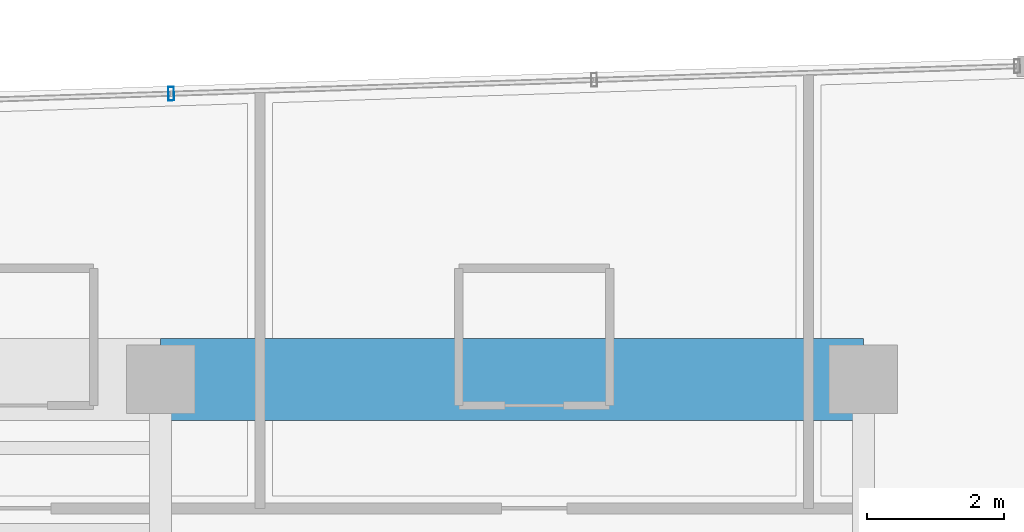
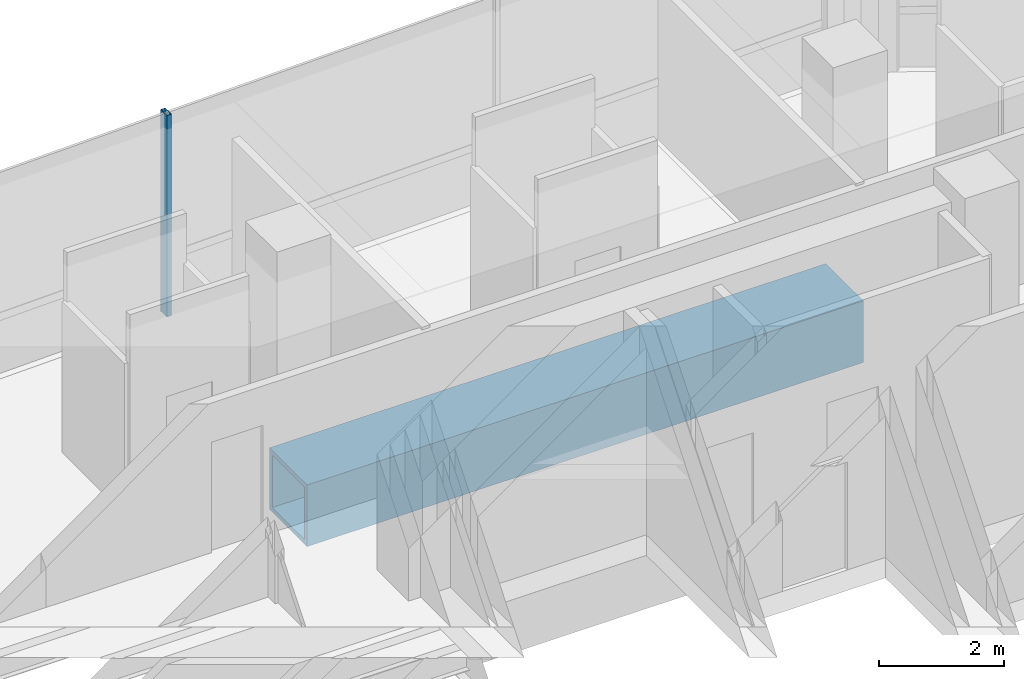
# One storey, part 18 of 37: 1 beam, 1 member, 1 element without a shape of its own.
"""IFC4 building model written with IfcOpenShell, lengths in metres."""

from ifc_helpers import new_model, si_unit, direction, frame, origin, origin_2d, place, context, subcontext, project, spatial, hollow_rectangle, extrude, source, transform, mapped, material, material_profile, profile_set, type_object, element, aggregate, save


model = new_model("IFC4")

# Units and contexts
model_context = context("Model", 3, precision=1e-05, world=origin(), true_north=direction((0.0, 1.0)))
body_context = subcontext(model_context, "Body", "Model", "MODEL_VIEW")
ifc_project = project(units=[si_unit("LENGTHUNIT", "METRE"), si_unit("AREAUNIT", "SQUARE_METRE"), si_unit("VOLUMEUNIT", "CUBIC_METRE"), si_unit("PLANEANGLEUNIT", "RADIAN"), si_unit("MASSUNIT", "GRAM", prefix="KILO")], contexts=[model_context])

# Site, building, storey
site_placement = place(None, origin())
site = spatial("IfcSite", under=ifc_project, at=site_placement, CompositionType="ELEMENT")
building_placement = place(site_placement, origin())
building = spatial("IfcBuilding", under=site, at=building_placement, Name="Valdorenza Pilgrim Sanctuary Tower", CompositionType="ELEMENT")
storey_placement = place(building_placement, frame((0.0, 0.0, 172.300048828125)))
storey = spatial("IfcBuildingStorey", under=building, at=storey_placement, Name="L44", CompositionType="ELEMENT", Elevation=172.300048828125)

# Beam
ifc_material_1 = material(Name="Steel ASTM A572 Grade 42", Category="steel")
ifc_material_profile_1 = material_profile(ifc_material_1, hollow_rectangle(XDim=1.199951171875, YDim=1.199951171875, WallThickness=0.090087890625, at=origin_2d()), Name="BOX 1200x1200x90")
ifc_profile_set_1 = profile_set([ifc_material_profile_1], Name="Steel ASTM A572 Grade 42")
beam_type = type_object("IfcBeamType", Name="STR-BM-TRF-1200", PredefinedType="BEAM", material=ifc_profile_set_1)
shared_shape_1 = source(origin(), body_context, "Body", "SweptSolid", [
    extrude(hollow_rectangle(XDim=1.199951171875, YDim=1.199951171875, WallThickness=0.090087890625, at=origin_2d()), origin(), (0.0, 0.0, 1.0), 10.25),
])
beam_placement = place(storey_placement, frame((-22.64990234375, 14.800048828125, -1.0), z_axis=(1.0, 0.0, 0.0), x_axis=(0.0, 1.0, 0.0)))
element("IfcBeam", 1, at=beam_placement, inside=storey, type_object=beam_type, Name="L44 Transfer Girder CA-XC-N2", PredefinedType="BEAM", context=body_context, shape_type="MappedRepresentation", body=[
    mapped(shared_shape_1, transform((0.0, 0.0, 0.0), x_axis=(1.0, 0.0, 0.0), y_axis=(0.0, 1.0, 0.0), z_axis=(0.0, 0.0, 1.0), scale=1.0)),
])

# Curtain wall, member
ifc_material_2 = material(Name="Curtain-wall IGU glazing", Category="glass")
curtain_wall_type = type_object("IfcCurtainWallType", Name="CW-SYS-02", PredefinedType="NOTDEFINED", material=ifc_material_2)
curtain_wall_placement = place(storey_placement, origin())
curtain_wall = element("IfcCurtainWall", 2, at=curtain_wall_placement, inside=storey, type_object=curtain_wall_type, Name="L44 Curtain Wall CW-L44-1-6", PredefinedType="NOTDEFINED")
ifc_material_3 = material(Name="Anodised aluminium AW-6060", Category="aluminium")
ifc_material_profile_2 = material_profile(ifc_material_3, hollow_rectangle(XDim=0.0849609375, YDim=0.199951171875, WallThickness=0.0048828125, at=origin_2d()), Name="ALU-M 200x85x5")
ifc_profile_set_2 = profile_set([ifc_material_profile_2], Name="Anodised aluminium AW-6060")
member_type = type_object("IfcMemberType", Name="CW-MUL-02", PredefinedType="MULLION", material=ifc_profile_set_2)
shared_shape_2 = source(origin(), body_context, "Body", "SweptSolid", [
    extrude(hollow_rectangle(XDim=0.0849609375, YDim=0.199951171875, WallThickness=0.0048828125, at=origin_2d()), origin(), (0.0, 0.0, 1.0), 3.929931640625),
])
member_placement = place(storey_placement, frame((-22.495361328125, 18.966796875, 0.0), z_axis=(0.0, 0.0, 1.0), x_axis=(0.999470282811, 0.032544642846, 0.0)))
member = element("IfcMember", 3, at=member_placement, type_object=member_type, Name="CW-L44-1-6 Mullion 2", PredefinedType="MULLION", context=body_context, shape_type="MappedRepresentation", body=[
    mapped(shared_shape_2, transform((0.0, 0.0, 0.0), x_axis=(1.0, 0.0, 0.0), y_axis=(0.0, 1.0, 0.0), z_axis=(0.0, 0.0, 1.0), scale=1.0)),
])
aggregate(curtain_wall, [member])

save(model, "model.ifc")
